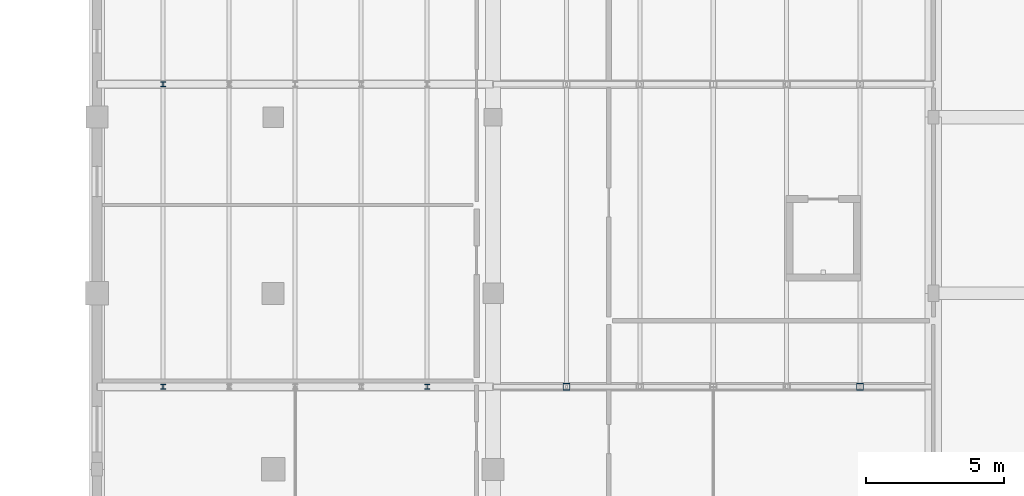
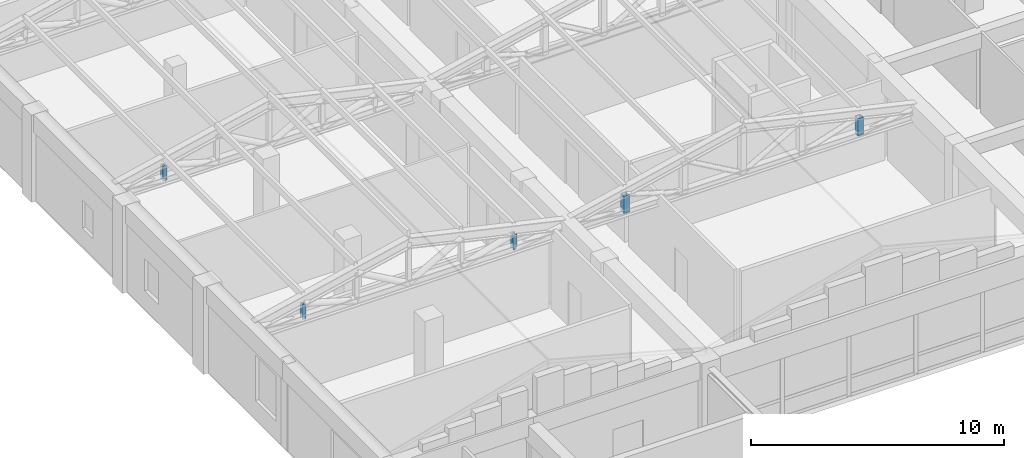
# One storey, part 18 of 35: 5 members.
"""IFC4 building model written with IfcOpenShell, lengths in metres."""

from ifc_helpers import new_model, si_unit, direction, frame, origin, origin_2d, place, context, subcontext, project, spatial, hollow_rectangle, i_section, extrude, material, material_profile, profile_set, type_object, element, save


model = new_model("IFC4")

# Units and contexts
model_context = context("Model", 3, precision=1e-05, world=origin(), true_north=direction((0.0, 1.0)))
body_context = subcontext(model_context, "Body", "Model", "MODEL_VIEW")
ifc_project = project(units=[si_unit("LENGTHUNIT", "METRE"), si_unit("AREAUNIT", "SQUARE_METRE"), si_unit("VOLUMEUNIT", "CUBIC_METRE"), si_unit("PLANEANGLEUNIT", "RADIAN"), si_unit("MASSUNIT", "GRAM", prefix="KILO")], contexts=[model_context])

# Site, building, storey
site_placement = place(None, origin())
site = spatial("IfcSite", under=ifc_project, at=site_placement, CompositionType="ELEMENT")
building_placement = place(site_placement, origin())
building = spatial("IfcBuilding", under=site, at=building_placement, Name="Vellmiral Cinema and Media Centre", CompositionType="ELEMENT")
storey_placement = place(building_placement, frame((0.0, 0.0, 15.60009765625)))
storey = spatial("IfcBuildingStorey", under=building, at=storey_placement, Name="L03", CompositionType="ELEMENT", Elevation=15.60009765625)

# Members
ifc_material_1 = material(Name="Steel S355", Category="steel")
ifc_material_profile_1 = material_profile(ifc_material_1, i_section(OverallWidth=0.179931640625, OverallDepth=0.179931640625, WebThickness=0.008544921875, FlangeThickness=0.013916015625, FilletRadius=0.014892578125, at=origin_2d()), Name="HEB 180")
ifc_profile_set_1 = profile_set([ifc_material_profile_1], Name="Steel S355")
member_type_1 = type_object("IfcMemberType", Name="TBR-HEB180", PredefinedType="BRACE", material=ifc_profile_set_1)
for number, where, z_axis, x_axis, name in (
    (1, (50.39990234375, 62.199951171875, 3.5498046875), (0.0, 0.0, 1.0), (1.0, 0.0, 0.0), "Roof Truss TR-08.1 Post 1"),
    (2, (60.0, 62.199951171875, 3.5498046875), (0.0, 0.0, 1.0), (1.0, 0.0, 0.0), "Roof Truss TR-08.1 Post 5"),
    (3, (50.39990234375, 73.199951171875, 3.5498046875), (0.0, 0.0, 1.0), (1.0, 0.0, 0.0), "Roof Truss TR-08.2 Post 1"),
):
    element("IfcMember", number, at=place(storey_placement, frame(where, z_axis=z_axis, x_axis=x_axis)), inside=storey, type_object=member_type_1, Name=name, PredefinedType="BRACE", context=body_context, shape_type="SweptSolid", body=[
        extrude(i_section(OverallWidth=0.179931640625, OverallDepth=0.179931640625, WebThickness=0.008544921875, FlangeThickness=0.013916015625, FilletRadius=0.014892578125, at=origin_2d()), origin(), (0.0, 0.0, 1.0), 0.71826171875),
    ])
ifc_material_2 = material(Name="Steel S355", Category="steel")
ifc_material_profile_2 = material_profile(ifc_material_2, hollow_rectangle(XDim=0.25, YDim=0.25, WallThickness=0.012451171875, at=origin_2d()), Name="SHS 250x250x12.5")
ifc_profile_set_2 = profile_set([ifc_material_profile_2], Name="Steel S355")
member_type_2 = type_object("IfcMemberType", Name="TBR-SHS250", PredefinedType="BRACE", material=ifc_profile_set_2)
for number, where, z_axis, x_axis, name in (
    (4, (65.066650390625, 62.199951171875, 3.5498046875), (0.0, 0.0, 1.0), (1.0, 0.0, 0.0), "Roof Truss TR-08B.1 Post 1"),
    (5, (75.7333984375, 62.199951171875, 3.5498046875), (0.0, 0.0, 1.0), (1.0, 0.0, 0.0), "Roof Truss TR-08B.1 Post 5"),
):
    element("IfcMember", number, at=place(storey_placement, frame(where, z_axis=z_axis, x_axis=x_axis)), inside=storey, type_object=member_type_2, Name=name, PredefinedType="BRACE", context=body_context, shape_type="SweptSolid", body=[
        extrude(hollow_rectangle(XDim=0.25, YDim=0.25, WallThickness=0.012451171875, at=origin_2d()), origin(), (0.0, 0.0, 1.0), 0.839599609375),
    ])

save(model, "model.ifc")
